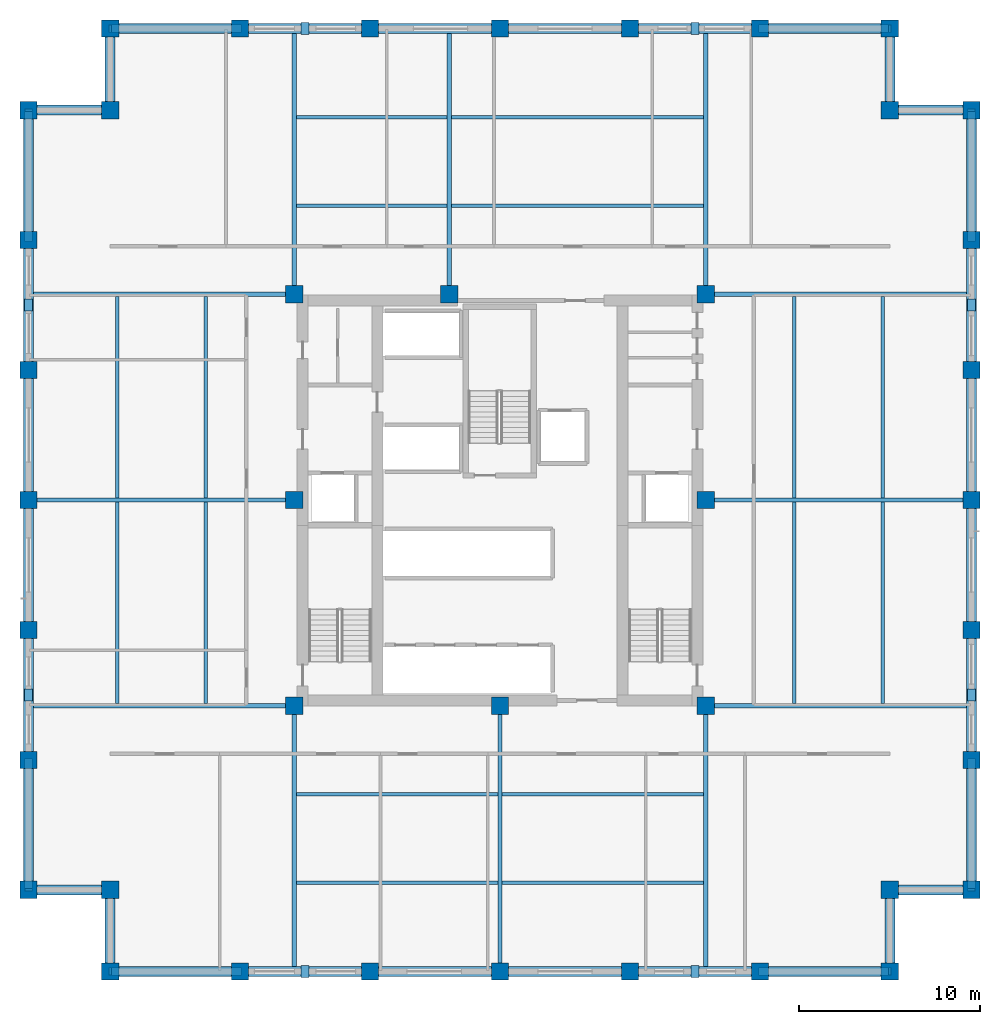
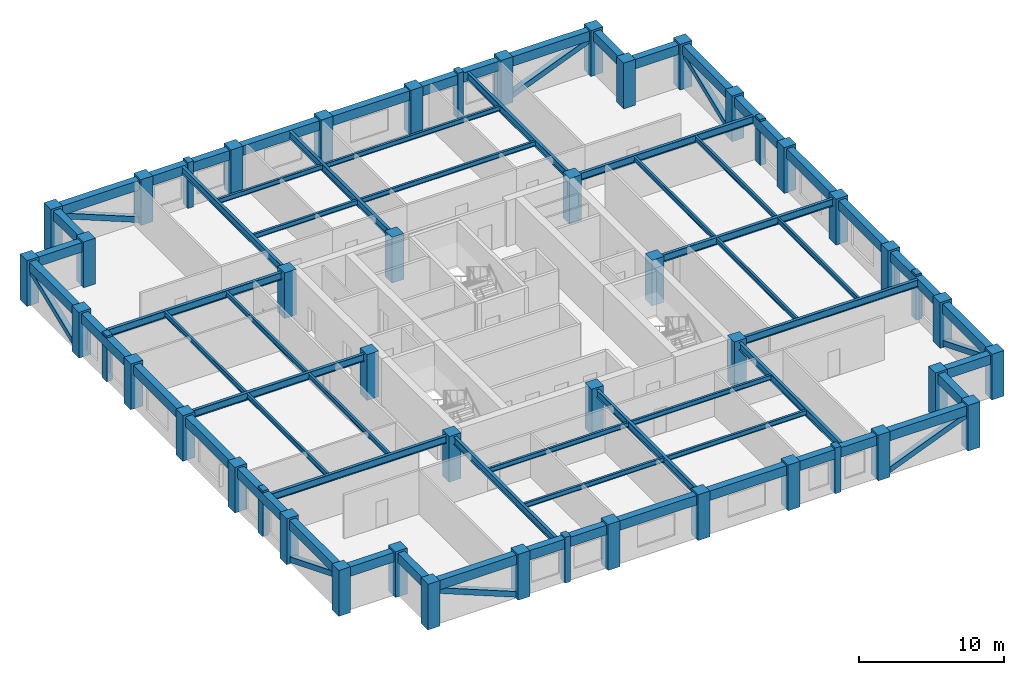
# One storey, part 1 of 9: 60 beams, 40 columns, 16 members.
"""IFC4 building model written with IfcOpenShell, lengths in metres."""

from ifc_helpers import new_model, si_unit, direction, frame, origin, origin_2d, place, context, subcontext, project, spatial, rectangle, hollow_rectangle, i_section, extrude, material, material_profile, profile_set, type_object, element, save


model = new_model("IFC4")

# Units and contexts
model_context = context("Model", 3, precision=1e-05, world=origin(), true_north=direction((0.0, 1.0)))
body_context = subcontext(model_context, "Body", "Model", "MODEL_VIEW")
ifc_project = project(units=[si_unit("LENGTHUNIT", "METRE"), si_unit("AREAUNIT", "SQUARE_METRE"), si_unit("VOLUMEUNIT", "CUBIC_METRE"), si_unit("PLANEANGLEUNIT", "RADIAN"), si_unit("MASSUNIT", "GRAM", prefix="KILO")], contexts=[model_context])

# Site, building, storey
site_placement = place(None, origin())
site = spatial("IfcSite", under=ifc_project, at=site_placement, CompositionType="ELEMENT")
building_placement = place(site_placement, origin())
building = spatial("IfcBuilding", under=site, at=building_placement, Name="Nhamokura Convention Tower", CompositionType="ELEMENT")
storey_placement = place(building_placement, frame((0.0, 0.0, 126.0)))
storey = spatial("IfcBuildingStorey", under=building, at=storey_placement, Name="L30", CompositionType="ELEMENT", Elevation=126.0)

# Columns
ifc_material_1 = material(Name="Concrete C60/75", Category="concrete")
ifc_material_profile_1 = material_profile(ifc_material_1, rectangle(XDim=0.949951171875, YDim=0.949951171875, at=origin_2d()))
ifc_profile_set_1 = profile_set([ifc_material_profile_1], Name="Concrete C60/75")
column_type = type_object("IfcColumnType", Name="TubeColumn_Z2_950", PredefinedType="COLUMN", material=ifc_profile_set_1)
for number, where, z_axis, x_axis, name in (
    (1, (20.64990234375, 20.64990234375, 0.0), (0.0, 0.0, 1.0), (1.0, 0.0, 0.0), "L30 Core Column CC-SW"),
    (2, (32.0, 20.64990234375, 0.0), (0.0, 0.0, 1.0), (1.0, 0.0, 0.0), "L30 Core Column CC-S"),
    (3, (43.35009765625, 20.64990234375, 0.0), (0.0, 0.0, 1.0), (1.0, 0.0, 0.0), "L30 Core Column CC-SE"),
    (4, (43.35009765625, 32.0, 0.0), (0.0, 0.0, 1.0), (1.0, 0.0, 0.0), "L30 Core Column CC-E"),
    (5, (43.35009765625, 43.35009765625, 0.0), (0.0, 0.0, 1.0), (1.0, 0.0, 0.0), "L30 Core Column CC-NE"),
    (6, (29.199951171875, 43.35009765625, 0.0), (0.0, 0.0, 1.0), (1.0, 0.0, 0.0), "L30 Core Column CC-N"),
    (7, (20.64990234375, 43.35009765625, 0.0), (0.0, 0.0, 1.0), (1.0, 0.0, 0.0), "L30 Core Column CC-NW"),
    (8, (20.64990234375, 32.0, 0.0), (0.0, 0.0, 1.0), (1.0, 0.0, 0.0), "L30 Core Column CC-W"),
    (9, (10.5, 6.0, 0.0), (0.0, 0.0, 1.0), (1.0, 0.0, 0.0), "L30 Perimeter Tube Column SW1"),
    (10, (10.5, 10.5, 0.0), (0.0, 0.0, 1.0), (1.0, 0.0, 0.0), "L30 Perimeter Tube Column SW0"),
    (11, (6.0, 10.5, 0.0), (0.0, 0.0, 1.0), (1.0, 0.0, 0.0), "L30 Perimeter Tube Column SW2"),
    (12, (53.5, 6.0, 0.0), (0.0, 0.0, 1.0), (1.0, 0.0, 0.0), "L30 Perimeter Tube Column SE1"),
    (13, (53.5, 10.5, 0.0), (0.0, 0.0, 1.0), (1.0, 0.0, 0.0), "L30 Perimeter Tube Column SE0"),
    (14, (58.0, 10.5, 0.0), (0.0, 0.0, 1.0), (1.0, 0.0, 0.0), "L30 Perimeter Tube Column SE2"),
    (15, (58.0, 53.5, 0.0), (0.0, 0.0, 1.0), (1.0, 0.0, 0.0), "L30 Perimeter Tube Column NE1"),
    (16, (53.5, 53.5, 0.0), (0.0, 0.0, 1.0), (1.0, 0.0, 0.0), "L30 Perimeter Tube Column NE0"),
    (17, (53.5, 58.0, 0.0), (0.0, 0.0, 1.0), (1.0, 0.0, 0.0), "L30 Perimeter Tube Column NE2"),
    (18, (10.5, 58.0, 0.0), (0.0, 0.0, 1.0), (1.0, 0.0, 0.0), "L30 Perimeter Tube Column NW1"),
    (19, (10.5, 53.5, 0.0), (0.0, 0.0, 1.0), (1.0, 0.0, 0.0), "L30 Perimeter Tube Column NW0"),
    (20, (6.0, 53.5, 0.0), (0.0, 0.0, 1.0), (1.0, 0.0, 0.0), "L30 Perimeter Tube Column NW2"),
    (21, (17.666748046875, 6.0, 0.0), (0.0, 0.0, 1.0), (1.0, 0.0, 0.0), "L30 Perimeter Tube Column S1"),
    (22, (17.666748046875, 58.0, 0.0), (0.0, 0.0, 1.0), (1.0, 0.0, 0.0), "L30 Perimeter Tube Column N1"),
    (23, (6.0, 17.666748046875, 0.0), (0.0, 0.0, 1.0), (1.0, 0.0, 0.0), "L30 Perimeter Tube Column W1"),
    (24, (58.0, 17.666748046875, 0.0), (0.0, 0.0, 1.0), (1.0, 0.0, 0.0), "L30 Perimeter Tube Column E1"),
    (25, (24.833251953125, 6.0, 0.0), (0.0, 0.0, 1.0), (1.0, 0.0, 0.0), "L30 Perimeter Tube Column S2"),
    (26, (24.833251953125, 58.0, 0.0), (0.0, 0.0, 1.0), (1.0, 0.0, 0.0), "L30 Perimeter Tube Column N2"),
    (27, (6.0, 24.833251953125, 0.0), (0.0, 0.0, 1.0), (1.0, 0.0, 0.0), "L30 Perimeter Tube Column W2"),
    (28, (58.0, 24.833251953125, 0.0), (0.0, 0.0, 1.0), (1.0, 0.0, 0.0), "L30 Perimeter Tube Column E2"),
    (29, (32.0, 6.0, 0.0), (0.0, 0.0, 1.0), (1.0, 0.0, 0.0), "L30 Perimeter Tube Column S3"),
    (30, (32.0, 58.0, 0.0), (0.0, 0.0, 1.0), (1.0, 0.0, 0.0), "L30 Perimeter Tube Column N3"),
    (31, (6.0, 32.0, 0.0), (0.0, 0.0, 1.0), (1.0, 0.0, 0.0), "L30 Perimeter Tube Column W3"),
    (32, (58.0, 32.0, 0.0), (0.0, 0.0, 1.0), (1.0, 0.0, 0.0), "L30 Perimeter Tube Column E3"),
    (33, (39.166748046875, 6.0, 0.0), (0.0, 0.0, 1.0), (1.0, 0.0, 0.0), "L30 Perimeter Tube Column S4"),
    (34, (39.166748046875, 58.0, 0.0), (0.0, 0.0, 1.0), (1.0, 0.0, 0.0), "L30 Perimeter Tube Column N4"),
    (35, (6.0, 39.166748046875, 0.0), (0.0, 0.0, 1.0), (1.0, 0.0, 0.0), "L30 Perimeter Tube Column W4"),
    (36, (58.0, 39.166748046875, 0.0), (0.0, 0.0, 1.0), (1.0, 0.0, 0.0), "L30 Perimeter Tube Column E4"),
    (37, (46.333251953125, 6.0, 0.0), (0.0, 0.0, 1.0), (1.0, 0.0, 0.0), "L30 Perimeter Tube Column S5"),
    (38, (46.333251953125, 58.0, 0.0), (0.0, 0.0, 1.0), (1.0, 0.0, 0.0), "L30 Perimeter Tube Column N5"),
    (39, (6.0, 46.333251953125, 0.0), (0.0, 0.0, 1.0), (1.0, 0.0, 0.0), "L30 Perimeter Tube Column W5"),
    (40, (58.0, 46.333251953125, 0.0), (0.0, 0.0, 1.0), (1.0, 0.0, 0.0), "L30 Perimeter Tube Column E5"),
):
    element("IfcColumn", number, at=place(storey_placement, frame(where, z_axis=z_axis, x_axis=x_axis)), inside=storey, type_object=column_type, Name=name, PredefinedType="COLUMN", context=body_context, shape_type="SweptSolid", body=[
        extrude(rectangle(XDim=0.949951171875, YDim=0.949951171875, at=origin_2d()), origin(), (0.0, 0.0, 1.0), 3.85009765625),
    ])

# Members
ifc_material_2 = material(Name="Bronze-pigmented precast concrete C45/55", Category="concrete")
ifc_material_profile_2 = material_profile(ifc_material_2, rectangle(XDim=0.449951171875, YDim=0.64990234375, at=origin_2d()))
ifc_profile_set_2 = profile_set([ifc_material_profile_2], Name="Bronze-pigmented precast concrete C45/55")
member_type_1 = type_object("IfcMemberType", Name="BronzePilaster_650", PredefinedType="USERDEFINED", material=ifc_profile_set_2)
for number, where, z_axis, x_axis, name in (
    (41, (21.25, 6.0, 0.0), (0.0, 0.0, 1.0), (1.0, 0.0, 0.0), "L30 Engaged Frame Pilaster SOUTH 1"),
    (42, (42.75, 6.0, 0.0), (0.0, 0.0, 1.0), (1.0, 0.0, 0.0), "L30 Engaged Frame Pilaster SOUTH 4"),
    (43, (21.25, 58.0, 0.0), (0.0, 0.0, 1.0), (1.0, 0.0, 0.0), "L30 Engaged Frame Pilaster NORTH 1"),
    (44, (42.75, 58.0, 0.0), (0.0, 0.0, 1.0), (1.0, 0.0, 0.0), "L30 Engaged Frame Pilaster NORTH 4"),
    (45, (6.0, 21.25, 0.0), (0.0, 0.0, 1.0), (1.0, 0.0, 0.0), "L30 Engaged Frame Pilaster WEST 1"),
    (46, (6.0, 42.75, 0.0), (0.0, 0.0, 1.0), (1.0, 0.0, 0.0), "L30 Engaged Frame Pilaster WEST 4"),
    (47, (58.0, 21.25, 0.0), (0.0, 0.0, 1.0), (1.0, 0.0, 0.0), "L30 Engaged Frame Pilaster EAST 1"),
    (48, (58.0, 42.75, 0.0), (0.0, 0.0, 1.0), (1.0, 0.0, 0.0), "L30 Engaged Frame Pilaster EAST 4"),
):
    element("IfcMember", number, at=place(storey_placement, frame(where, z_axis=z_axis, x_axis=x_axis)), inside=storey, type_object=member_type_1, Name=name, ObjectType="PILASTER_TRIM", PredefinedType="USERDEFINED", context=body_context, shape_type="SweptSolid", body=[
        extrude(rectangle(XDim=0.449951171875, YDim=0.64990234375, at=origin_2d()), origin(), (0.0, 0.0, 1.0), 3.85009765625),
    ])

# Beams
ifc_material_3 = material(Name="Steel ASTM A992 Gr 50", Category="steel")
ifc_material_profile_3 = material_profile(ifc_material_3, i_section(OverallWidth=0.177001953125, OverallDepth=0.403076171875, WebThickness=0.007568359375, FlangeThickness=0.010986328125, at=origin_2d()))
ifc_profile_set_3 = profile_set([ifc_material_profile_3], Name="Steel ASTM A992 Gr 50")
beam_type_1 = type_object("IfcBeamType", Name="FloorJoist_W410X53", PredefinedType="JOIST", material=ifc_profile_set_3)
for number, where, z_axis, x_axis, name in (
    (49, (20.762939453125, 10.88330078125, 3.4833984375), (1.0, 0.0, 0.0), (0.0, 1.0, 0.0), "L30 Composite Floor Joist S1A"),
    (50, (32.113037109375, 10.88330078125, 3.4833984375), (1.0, 0.0, 0.0), (0.0, 1.0, 0.0), "L30 Composite Floor Joist S1B"),
    (51, (20.762939453125, 15.7666015625, 3.4833984375), (1.0, 0.0, 0.0), (0.0, 1.0, 0.0), "L30 Composite Floor Joist S2A"),
    (52, (32.113037109375, 15.7666015625, 3.4833984375), (1.0, 0.0, 0.0), (0.0, 1.0, 0.0), "L30 Composite Floor Joist S2B"),
):
    element("IfcBeam", number, at=place(storey_placement, frame(where, z_axis=z_axis, x_axis=x_axis)), inside=storey, type_object=beam_type_1, Name=name, PredefinedType="JOIST", context=body_context, shape_type="SweptSolid", body=[
        extrude(i_section(OverallWidth=0.177001953125, OverallDepth=0.403076171875, WebThickness=0.007568359375, FlangeThickness=0.010986328125, at=origin_2d()), origin(), (0.0, 0.0, 1.0), 11.1240234375),
    ])
beam_1_placement = place(storey_placement, frame((20.762939453125, 48.2333984375, 3.4833984375), z_axis=(1.0, 0.0, 0.0), x_axis=(0.0, 1.0, 0.0)))
element("IfcBeam", 53, at=beam_1_placement, inside=storey, type_object=beam_type_1, Name="L30 Composite Floor Joist N1A", PredefinedType="JOIST", context=body_context, shape_type="SweptSolid", body=[
    extrude(i_section(OverallWidth=0.177001953125, OverallDepth=0.403076171875, WebThickness=0.007568359375, FlangeThickness=0.010986328125, at=origin_2d()), origin(), (0.0, 0.0, 1.0), 8.323974609375),
])
beam_2_placement = place(storey_placement, frame((29.31298828125, 48.2333984375, 3.4833984375), z_axis=(1.0, 0.0, 0.0), x_axis=(0.0, 1.0, 0.0)))
element("IfcBeam", 54, at=beam_2_placement, inside=storey, type_object=beam_type_1, Name="L30 Composite Floor Joist N1B", PredefinedType="JOIST", context=body_context, shape_type="SweptSolid", body=[
    extrude(i_section(OverallWidth=0.177001953125, OverallDepth=0.403076171875, WebThickness=0.007568359375, FlangeThickness=0.010986328125, at=origin_2d()), origin(), (0.0, 0.0, 1.0), 13.924072265625),
])
beam_3_placement = place(storey_placement, frame((20.762939453125, 53.11669921875, 3.4833984375), z_axis=(1.0, 0.0, 0.0), x_axis=(0.0, 1.0, 0.0)))
element("IfcBeam", 55, at=beam_3_placement, inside=storey, type_object=beam_type_1, Name="L30 Composite Floor Joist N2A", PredefinedType="JOIST", context=body_context, shape_type="SweptSolid", body=[
    extrude(i_section(OverallWidth=0.177001953125, OverallDepth=0.403076171875, WebThickness=0.007568359375, FlangeThickness=0.010986328125, at=origin_2d()), origin(), (0.0, 0.0, 1.0), 8.323974609375),
])
beam_4_placement = place(storey_placement, frame((29.31298828125, 53.11669921875, 3.4833984375), z_axis=(1.0, 0.0, 0.0), x_axis=(0.0, 1.0, 0.0)))
element("IfcBeam", 56, at=beam_4_placement, inside=storey, type_object=beam_type_1, Name="L30 Composite Floor Joist N2B", PredefinedType="JOIST", context=body_context, shape_type="SweptSolid", body=[
    extrude(i_section(OverallWidth=0.177001953125, OverallDepth=0.403076171875, WebThickness=0.007568359375, FlangeThickness=0.010986328125, at=origin_2d()), origin(), (0.0, 0.0, 1.0), 13.924072265625),
])
for number, where, z_axis, x_axis, name in (
    (57, (10.88330078125, 20.762939453125, 3.4833984375), (0.0, 1.0, 0.0), (-1.0, 0.0, 0.0), "L30 Composite Floor Joist W1A"),
    (58, (10.88330078125, 32.113037109375, 3.4833984375), (0.0, 1.0, 0.0), (-1.0, 0.0, 0.0), "L30 Composite Floor Joist W1B"),
    (59, (15.7666015625, 20.762939453125, 3.4833984375), (0.0, 1.0, 0.0), (-1.0, 0.0, 0.0), "L30 Composite Floor Joist W2A"),
    (60, (15.7666015625, 32.113037109375, 3.4833984375), (0.0, 1.0, 0.0), (-1.0, 0.0, 0.0), "L30 Composite Floor Joist W2B"),
    (61, (48.2333984375, 20.762939453125, 3.4833984375), (0.0, 1.0, 0.0), (-1.0, 0.0, 0.0), "L30 Composite Floor Joist E1A"),
    (62, (48.2333984375, 32.113037109375, 3.4833984375), (0.0, 1.0, 0.0), (-1.0, 0.0, 0.0), "L30 Composite Floor Joist E1B"),
    (63, (53.11669921875, 20.762939453125, 3.4833984375), (0.0, 1.0, 0.0), (-1.0, 0.0, 0.0), "L30 Composite Floor Joist E2A"),
    (64, (53.11669921875, 32.113037109375, 3.4833984375), (0.0, 1.0, 0.0), (-1.0, 0.0, 0.0), "L30 Composite Floor Joist E2B"),
):
    element("IfcBeam", number, at=place(storey_placement, frame(where, z_axis=z_axis, x_axis=x_axis)), inside=storey, type_object=beam_type_1, Name=name, PredefinedType="JOIST", context=body_context, shape_type="SweptSolid", body=[
        extrude(i_section(OverallWidth=0.177001953125, OverallDepth=0.403076171875, WebThickness=0.007568359375, FlangeThickness=0.010986328125, at=origin_2d()), origin(), (0.0, 0.0, 1.0), 11.1240234375),
    ])
ifc_material_4 = material(Name="Steel ASTM A992 Gr 50", Category="steel")
ifc_material_profile_4 = material_profile(ifc_material_4, i_section(OverallWidth=0.22998046875, OverallDepth=0.616943359375, WebThickness=0.01318359375, FlangeThickness=0.022216796875, at=origin_2d()))
ifc_profile_set_4 = profile_set([ifc_material_profile_4], Name="Steel ASTM A992 Gr 50")
beam_type_2 = type_object("IfcBeamType", Name="PrimaryGirder_W610X140", PredefinedType="BEAM", material=ifc_profile_set_4)
for number, where, z_axis, x_axis, name in (
    (65, (20.64990234375, 6.0, 3.37646484375), (0.0, 1.0, 0.0), (-1.0, 0.0, 0.0), "L30 Primary Floor Girder PG-S1"),
    (66, (32.0, 6.0, 3.37646484375), (0.0, 1.0, 0.0), (-1.0, 0.0, 0.0), "L30 Primary Floor Girder PG-S2"),
    (67, (43.35009765625, 6.0, 3.37646484375), (0.0, 1.0, 0.0), (-1.0, 0.0, 0.0), "L30 Primary Floor Girder PG-S3"),
    (68, (20.64990234375, 43.35009765625, 3.37646484375), (0.0, 1.0, 0.0), (-1.0, 0.0, 0.0), "L30 Primary Floor Girder PG-N1"),
    (69, (29.199951171875, 43.35009765625, 3.37646484375), (0.0, 1.0, 0.0), (-1.0, 0.0, 0.0), "L30 Primary Floor Girder PG-N2"),
    (70, (43.35009765625, 43.35009765625, 3.37646484375), (0.0, 1.0, 0.0), (-1.0, 0.0, 0.0), "L30 Primary Floor Girder PG-N3"),
    (71, (6.0, 20.64990234375, 3.37646484375), (1.0, 0.0, 0.0), (0.0, 1.0, 0.0), "L30 Primary Floor Girder PG-W1"),
    (72, (6.0, 32.0, 3.37646484375), (1.0, 0.0, 0.0), (0.0, 1.0, 0.0), "L30 Primary Floor Girder PG-W2"),
    (73, (6.0, 43.35009765625, 3.37646484375), (1.0, 0.0, 0.0), (0.0, 1.0, 0.0), "L30 Primary Floor Girder PG-W3"),
    (74, (43.35009765625, 20.64990234375, 3.37646484375), (1.0, 0.0, 0.0), (0.0, 1.0, 0.0), "L30 Primary Floor Girder PG-E1"),
    (75, (43.35009765625, 32.0, 3.37646484375), (1.0, 0.0, 0.0), (0.0, 1.0, 0.0), "L30 Primary Floor Girder PG-E2"),
    (76, (43.35009765625, 43.35009765625, 3.37646484375), (1.0, 0.0, 0.0), (0.0, 1.0, 0.0), "L30 Primary Floor Girder PG-E3"),
):
    element("IfcBeam", number, at=place(storey_placement, frame(where, z_axis=z_axis, x_axis=x_axis)), inside=storey, type_object=beam_type_2, Name=name, PredefinedType="BEAM", context=body_context, shape_type="SweptSolid", body=[
        extrude(i_section(OverallWidth=0.22998046875, OverallDepth=0.616943359375, WebThickness=0.01318359375, FlangeThickness=0.022216796875, at=origin_2d()), origin(), (0.0, 0.0, 1.0), 14.64990234375),
    ])

# Members
ifc_material_5 = material(Name="Steel ASTM A572 Gr 50", Category="steel")
ifc_material_profile_5 = material_profile(ifc_material_5, hollow_rectangle(XDim=0.449951171875, YDim=0.449951171875, WallThickness=0.02197265625, at=origin_2d()))
ifc_profile_set_5 = profile_set([ifc_material_profile_5], Name="Steel ASTM A572 Gr 50")
member_type_2 = type_object("IfcMemberType", Name="TubeBrace_HSS450", PredefinedType="BRACE", material=ifc_profile_set_5)
for number, where, z_axis, x_axis, name in (
    (77, (17.666748046875, 6.0, 0.14990234375), (-0.927657166893, 0.0, 0.373432966826), (0.0, -1.0, 0.0), "L30 Perimeter Tube Brace SOUTH Bay 0"),
    (78, (46.333251953125, 6.0, 0.14990234375), (0.927657166893, 0.0, 0.373432966826), (0.0, 1.0, 0.0), "L30 Perimeter Tube Brace SOUTH Bay 5"),
    (79, (17.666748046875, 58.0, 0.14990234375), (-0.927657166893, 0.0, 0.373432966826), (0.0, -1.0, 0.0), "L30 Perimeter Tube Brace NORTH Bay 0"),
    (80, (46.333251953125, 58.0, 0.14990234375), (0.927657166893, 0.0, 0.373432966826), (0.0, 1.0, 0.0), "L30 Perimeter Tube Brace NORTH Bay 5"),
    (81, (6.0, 17.666748046875, 0.14990234375), (0.0, -0.927657166893, 0.373432966826), (1.0, 0.0, 0.0), "L30 Perimeter Tube Brace WEST Bay 0"),
    (82, (6.0, 46.333251953125, 0.14990234375), (0.0, 0.927657166893, 0.373432966826), (-1.0, 0.0, 0.0), "L30 Perimeter Tube Brace WEST Bay 5"),
    (83, (58.0, 17.666748046875, 0.14990234375), (0.0, -0.927657166893, 0.373432966826), (1.0, 0.0, 0.0), "L30 Perimeter Tube Brace EAST Bay 0"),
    (84, (58.0, 46.333251953125, 0.14990234375), (0.0, 0.927657166893, 0.373432966826), (-1.0, 0.0, 0.0), "L30 Perimeter Tube Brace EAST Bay 5"),
):
    element("IfcMember", number, at=place(storey_placement, frame(where, z_axis=z_axis, x_axis=x_axis)), inside=storey, type_object=member_type_2, Name=name, PredefinedType="BRACE", context=body_context, shape_type="SweptSolid", body=[
        extrude(hollow_rectangle(XDim=0.449951171875, YDim=0.449951171875, WallThickness=0.02197265625, at=origin_2d()), origin(), (0.0, 0.0, 1.0), 7.7255859375),
    ])

# Beams
ifc_material_6 = material(Name="Concrete C50/60", Category="concrete")
ifc_material_profile_6 = material_profile(ifc_material_6, rectangle(XDim=0.550048828125, YDim=0.800048828125, at=origin_2d()))
ifc_profile_set_6 = profile_set([ifc_material_profile_6], Name="Concrete C50/60")
beam_type_3 = type_object("IfcBeamType", Name="TubeSpandrel_800", PredefinedType="SPANDREL", material=ifc_profile_set_6)
beam_5_placement = place(storey_placement, frame((10.5, 6.0, 3.284912109375), z_axis=(1.0, 0.0, 0.0), x_axis=(0.0, 1.0, 0.0)))
element("IfcBeam", 85, at=beam_5_placement, inside=storey, type_object=beam_type_3, Name="L30 Perimeter Spandrel SOUTH 1", PredefinedType="SPANDREL", context=body_context, shape_type="SweptSolid", body=[
    extrude(rectangle(XDim=0.550048828125, YDim=0.800048828125, at=origin_2d()), origin(), (0.0, 0.0, 1.0), 7.166748046875),
])
beam_6_placement = place(storey_placement, frame((17.666748046875, 6.0, 3.284912109375), z_axis=(1.0, 0.0, 0.0), x_axis=(0.0, 1.0, 0.0)))
element("IfcBeam", 86, at=beam_6_placement, inside=storey, type_object=beam_type_3, Name="L30 Perimeter Spandrel SOUTH 2", PredefinedType="SPANDREL", context=body_context, shape_type="SweptSolid", body=[
    extrude(rectangle(XDim=0.550048828125, YDim=0.800048828125, at=origin_2d()), origin(), (0.0, 0.0, 1.0), 7.16650390625),
])
for number, where, z_axis, x_axis, name in (
    (87, (24.833251953125, 6.0, 3.284912109375), (1.0, 0.0, 0.0), (0.0, 1.0, 0.0), "L30 Perimeter Spandrel SOUTH 3"),
    (88, (32.0, 6.0, 3.284912109375), (1.0, 0.0, 0.0), (0.0, 1.0, 0.0), "L30 Perimeter Spandrel SOUTH 4"),
):
    element("IfcBeam", number, at=place(storey_placement, frame(where, z_axis=z_axis, x_axis=x_axis)), inside=storey, type_object=beam_type_3, Name=name, PredefinedType="SPANDREL", context=body_context, shape_type="SweptSolid", body=[
        extrude(rectangle(XDim=0.550048828125, YDim=0.800048828125, at=origin_2d()), origin(), (0.0, 0.0, 1.0), 7.166748046875),
    ])
beam_7_placement = place(storey_placement, frame((39.166748046875, 6.0, 3.284912109375), z_axis=(1.0, 0.0, 0.0), x_axis=(0.0, 1.0, 0.0)))
element("IfcBeam", 89, at=beam_7_placement, inside=storey, type_object=beam_type_3, Name="L30 Perimeter Spandrel SOUTH 5", PredefinedType="SPANDREL", context=body_context, shape_type="SweptSolid", body=[
    extrude(rectangle(XDim=0.550048828125, YDim=0.800048828125, at=origin_2d()), origin(), (0.0, 0.0, 1.0), 7.16650390625),
])
for number, where, z_axis, x_axis, name in (
    (90, (46.333251953125, 6.0, 3.284912109375), (1.0, 0.0, 0.0), (0.0, 1.0, 0.0), "L30 Perimeter Spandrel SOUTH 6"),
    (91, (10.5, 58.0, 3.284912109375), (1.0, 0.0, 0.0), (0.0, 1.0, 0.0), "L30 Perimeter Spandrel NORTH 1"),
):
    element("IfcBeam", number, at=place(storey_placement, frame(where, z_axis=z_axis, x_axis=x_axis)), inside=storey, type_object=beam_type_3, Name=name, PredefinedType="SPANDREL", context=body_context, shape_type="SweptSolid", body=[
        extrude(rectangle(XDim=0.550048828125, YDim=0.800048828125, at=origin_2d()), origin(), (0.0, 0.0, 1.0), 7.166748046875),
    ])
beam_8_placement = place(storey_placement, frame((17.666748046875, 58.0, 3.284912109375), z_axis=(1.0, 0.0, 0.0), x_axis=(0.0, 1.0, 0.0)))
element("IfcBeam", 92, at=beam_8_placement, inside=storey, type_object=beam_type_3, Name="L30 Perimeter Spandrel NORTH 2", PredefinedType="SPANDREL", context=body_context, shape_type="SweptSolid", body=[
    extrude(rectangle(XDim=0.550048828125, YDim=0.800048828125, at=origin_2d()), origin(), (0.0, 0.0, 1.0), 7.16650390625),
])
for number, where, z_axis, x_axis, name in (
    (93, (24.833251953125, 58.0, 3.284912109375), (1.0, 0.0, 0.0), (0.0, 1.0, 0.0), "L30 Perimeter Spandrel NORTH 3"),
    (94, (32.0, 58.0, 3.284912109375), (1.0, 0.0, 0.0), (0.0, 1.0, 0.0), "L30 Perimeter Spandrel NORTH 4"),
):
    element("IfcBeam", number, at=place(storey_placement, frame(where, z_axis=z_axis, x_axis=x_axis)), inside=storey, type_object=beam_type_3, Name=name, PredefinedType="SPANDREL", context=body_context, shape_type="SweptSolid", body=[
        extrude(rectangle(XDim=0.550048828125, YDim=0.800048828125, at=origin_2d()), origin(), (0.0, 0.0, 1.0), 7.166748046875),
    ])
beam_9_placement = place(storey_placement, frame((39.166748046875, 58.0, 3.284912109375), z_axis=(1.0, 0.0, 0.0), x_axis=(0.0, 1.0, 0.0)))
element("IfcBeam", 95, at=beam_9_placement, inside=storey, type_object=beam_type_3, Name="L30 Perimeter Spandrel NORTH 5", PredefinedType="SPANDREL", context=body_context, shape_type="SweptSolid", body=[
    extrude(rectangle(XDim=0.550048828125, YDim=0.800048828125, at=origin_2d()), origin(), (0.0, 0.0, 1.0), 7.16650390625),
])
for number, where, z_axis, x_axis, name in (
    (96, (46.333251953125, 58.0, 3.284912109375), (1.0, 0.0, 0.0), (0.0, 1.0, 0.0), "L30 Perimeter Spandrel NORTH 6"),
    (97, (6.0, 10.5, 3.284912109375), (0.0, 1.0, 0.0), (-1.0, 0.0, 0.0), "L30 Perimeter Spandrel WEST 1"),
):
    element("IfcBeam", number, at=place(storey_placement, frame(where, z_axis=z_axis, x_axis=x_axis)), inside=storey, type_object=beam_type_3, Name=name, PredefinedType="SPANDREL", context=body_context, shape_type="SweptSolid", body=[
        extrude(rectangle(XDim=0.550048828125, YDim=0.800048828125, at=origin_2d()), origin(), (0.0, 0.0, 1.0), 7.166748046875),
    ])
beam_10_placement = place(storey_placement, frame((6.0, 17.666748046875, 3.284912109375), z_axis=(0.0, 1.0, 0.0), x_axis=(-1.0, 0.0, 0.0)))
element("IfcBeam", 98, at=beam_10_placement, inside=storey, type_object=beam_type_3, Name="L30 Perimeter Spandrel WEST 2", PredefinedType="SPANDREL", context=body_context, shape_type="SweptSolid", body=[
    extrude(rectangle(XDim=0.550048828125, YDim=0.800048828125, at=origin_2d()), origin(), (0.0, 0.0, 1.0), 7.16650390625),
])
for number, where, z_axis, x_axis, name in (
    (99, (6.0, 24.833251953125, 3.284912109375), (0.0, 1.0, 0.0), (-1.0, 0.0, 0.0), "L30 Perimeter Spandrel WEST 3"),
    (100, (6.0, 32.0, 3.284912109375), (0.0, 1.0, 0.0), (-1.0, 0.0, 0.0), "L30 Perimeter Spandrel WEST 4"),
):
    element("IfcBeam", number, at=place(storey_placement, frame(where, z_axis=z_axis, x_axis=x_axis)), inside=storey, type_object=beam_type_3, Name=name, PredefinedType="SPANDREL", context=body_context, shape_type="SweptSolid", body=[
        extrude(rectangle(XDim=0.550048828125, YDim=0.800048828125, at=origin_2d()), origin(), (0.0, 0.0, 1.0), 7.166748046875),
    ])
beam_11_placement = place(storey_placement, frame((6.0, 39.166748046875, 3.284912109375), z_axis=(0.0, 1.0, 0.0), x_axis=(-1.0, 0.0, 0.0)))
element("IfcBeam", 101, at=beam_11_placement, inside=storey, type_object=beam_type_3, Name="L30 Perimeter Spandrel WEST 5", PredefinedType="SPANDREL", context=body_context, shape_type="SweptSolid", body=[
    extrude(rectangle(XDim=0.550048828125, YDim=0.800048828125, at=origin_2d()), origin(), (0.0, 0.0, 1.0), 7.16650390625),
])
for number, where, z_axis, x_axis, name in (
    (102, (6.0, 46.333251953125, 3.284912109375), (0.0, 1.0, 0.0), (-1.0, 0.0, 0.0), "L30 Perimeter Spandrel WEST 6"),
    (103, (58.0, 10.5, 3.284912109375), (0.0, 1.0, 0.0), (-1.0, 0.0, 0.0), "L30 Perimeter Spandrel EAST 1"),
):
    element("IfcBeam", number, at=place(storey_placement, frame(where, z_axis=z_axis, x_axis=x_axis)), inside=storey, type_object=beam_type_3, Name=name, PredefinedType="SPANDREL", context=body_context, shape_type="SweptSolid", body=[
        extrude(rectangle(XDim=0.550048828125, YDim=0.800048828125, at=origin_2d()), origin(), (0.0, 0.0, 1.0), 7.166748046875),
    ])
beam_12_placement = place(storey_placement, frame((58.0, 17.666748046875, 3.284912109375), z_axis=(0.0, 1.0, 0.0), x_axis=(-1.0, 0.0, 0.0)))
element("IfcBeam", 104, at=beam_12_placement, inside=storey, type_object=beam_type_3, Name="L30 Perimeter Spandrel EAST 2", PredefinedType="SPANDREL", context=body_context, shape_type="SweptSolid", body=[
    extrude(rectangle(XDim=0.550048828125, YDim=0.800048828125, at=origin_2d()), origin(), (0.0, 0.0, 1.0), 7.16650390625),
])
for number, where, z_axis, x_axis, name in (
    (105, (58.0, 24.833251953125, 3.284912109375), (0.0, 1.0, 0.0), (-1.0, 0.0, 0.0), "L30 Perimeter Spandrel EAST 3"),
    (106, (58.0, 32.0, 3.284912109375), (0.0, 1.0, 0.0), (-1.0, 0.0, 0.0), "L30 Perimeter Spandrel EAST 4"),
):
    element("IfcBeam", number, at=place(storey_placement, frame(where, z_axis=z_axis, x_axis=x_axis)), inside=storey, type_object=beam_type_3, Name=name, PredefinedType="SPANDREL", context=body_context, shape_type="SweptSolid", body=[
        extrude(rectangle(XDim=0.550048828125, YDim=0.800048828125, at=origin_2d()), origin(), (0.0, 0.0, 1.0), 7.166748046875),
    ])
beam_13_placement = place(storey_placement, frame((58.0, 39.166748046875, 3.284912109375), z_axis=(0.0, 1.0, 0.0), x_axis=(-1.0, 0.0, 0.0)))
element("IfcBeam", 107, at=beam_13_placement, inside=storey, type_object=beam_type_3, Name="L30 Perimeter Spandrel EAST 5", PredefinedType="SPANDREL", context=body_context, shape_type="SweptSolid", body=[
    extrude(rectangle(XDim=0.550048828125, YDim=0.800048828125, at=origin_2d()), origin(), (0.0, 0.0, 1.0), 7.16650390625),
])
beam_14_placement = place(storey_placement, frame((58.0, 46.333251953125, 3.284912109375), z_axis=(0.0, 1.0, 0.0), x_axis=(-1.0, 0.0, 0.0)))
element("IfcBeam", 108, at=beam_14_placement, inside=storey, type_object=beam_type_3, Name="L30 Perimeter Spandrel EAST 6", PredefinedType="SPANDREL", context=body_context, shape_type="SweptSolid", body=[
    extrude(rectangle(XDim=0.550048828125, YDim=0.800048828125, at=origin_2d()), origin(), (0.0, 0.0, 1.0), 7.166748046875),
])
for number, where, z_axis, x_axis, name in (
    (109, (10.5, 6.0, 3.284912109375), (0.0, 1.0, 0.0), (-1.0, 0.0, 0.0), "L30 Notch Spandrel SW1"),
    (110, (10.5, 10.5, 3.284912109375), (-1.0, 0.0, 0.0), (0.0, -1.0, 0.0), "L30 Notch Spandrel SW2"),
    (111, (53.5, 6.0, 3.284912109375), (0.0, 1.0, 0.0), (-1.0, 0.0, 0.0), "L30 Notch Spandrel SE1"),
    (112, (53.5, 10.5, 3.284912109375), (1.0, 0.0, 0.0), (0.0, 1.0, 0.0), "L30 Notch Spandrel SE2"),
    (113, (58.0, 53.5, 3.284912109375), (-1.0, 0.0, 0.0), (0.0, -1.0, 0.0), "L30 Notch Spandrel NE1"),
    (114, (53.5, 53.5, 3.284912109375), (0.0, 1.0, 0.0), (-1.0, 0.0, 0.0), "L30 Notch Spandrel NE2"),
    (115, (10.5, 58.0, 3.284912109375), (0.0, -1.0, 0.0), (1.0, 0.0, 0.0), "L30 Notch Spandrel NW1"),
    (116, (10.5, 53.5, 3.284912109375), (-1.0, 0.0, 0.0), (0.0, -1.0, 0.0), "L30 Notch Spandrel NW2"),
):
    element("IfcBeam", number, at=place(storey_placement, frame(where, z_axis=z_axis, x_axis=x_axis)), inside=storey, type_object=beam_type_3, Name=name, PredefinedType="SPANDREL", context=body_context, shape_type="SweptSolid", body=[
        extrude(rectangle(XDim=0.550048828125, YDim=0.800048828125, at=origin_2d()), origin(), (0.0, 0.0, 1.0), 4.5),
    ])

save(model, "model.ifc")
